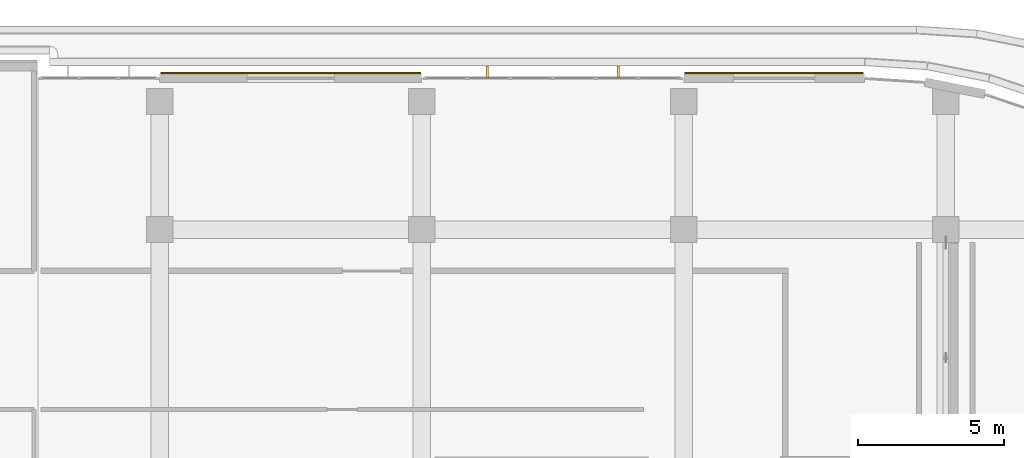
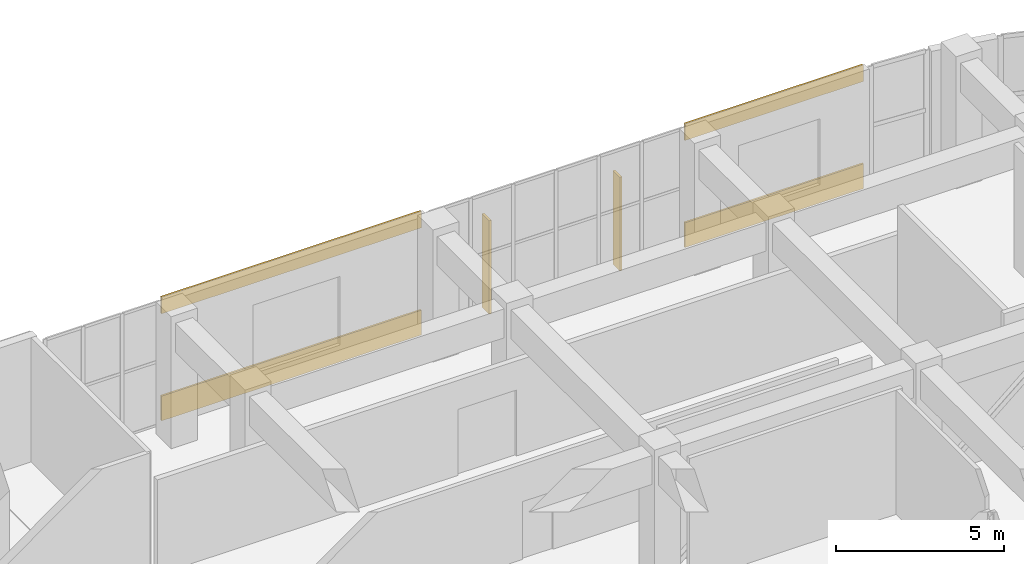
# One storey, part 95 of 96: 4 coverings, 2 shading devices.
"""IFC4 building model written with IfcOpenShell, lengths in metres."""

from ifc_helpers import new_model, si_unit, direction, frame, origin, origin_2d, place, context, subcontext, project, spatial, rectangle, extrude, material, layer, layer_set, type_object, element, save


model = new_model("IFC4")

# Units and contexts
model_context = context("Model", 3, precision=1e-05, world=origin(), true_north=direction((0.0, 1.0)))
body_context = subcontext(model_context, "Body", "Model", "MODEL_VIEW")
ifc_project = project(units=[si_unit("LENGTHUNIT", "METRE"), si_unit("AREAUNIT", "SQUARE_METRE"), si_unit("VOLUMEUNIT", "CUBIC_METRE"), si_unit("PLANEANGLEUNIT", "RADIAN"), si_unit("MASSUNIT", "GRAM", prefix="KILO")], contexts=[model_context])

# Site, building, storey
site_placement = place(None, origin())
site = spatial("IfcSite", under=ifc_project, at=site_placement, CompositionType="ELEMENT")
building_placement = place(site_placement, origin())
building = spatial("IfcBuilding", under=site, at=building_placement, Name="Cendralis Terraced Arcade", CompositionType="ELEMENT")
storey_placement = place(building_placement, frame((0.0, 0.0, 10.199951171875)))
storey = spatial("IfcBuildingStorey", under=building, at=storey_placement, Name="L02", CompositionType="ELEMENT", Elevation=10.199951171875)

# Coverings
ifc_material_1 = material(Name="Precast concrete f'c 40 MPa", Category="concrete")
ifc_layer = layer(ifc_material_1, 0.06494140625, Name="COV-CLAD-GRC-65")
ifc_layer_set = layer_set([ifc_layer], Name="Precast concrete f'c 40 MPa")
covering_type = type_object("IfcCoveringType", Name="COV-CLAD-GRC-65", PredefinedType="CLADDING", material=ifc_layer_set)
covering_1_placement = place(storey_placement, frame((134.699951171875, 112.580078125, 0.0), z_axis=(0.0, 0.0, 1.0), x_axis=(1.0, 0.0, 0.0)))
element("IfcCovering", 1, at=covering_1_placement, inside=storey, type_object=covering_type, Name="Banded Precast Stone Spandrel Cladding L02-275", PredefinedType="CLADDING", context=body_context, shape_type="SweptSolid", body=[
    extrude(rectangle(XDim=8.93994140625, YDim=0.06494140625, at=origin_2d()), origin(), (0.0, 0.0, 1.0), 0.89990234375),
])
covering_2_placement = place(storey_placement, frame((134.699951171875, 112.580078125, 3.89501953125), z_axis=(0.0, 0.0, 1.0), x_axis=(1.0, 0.0, 0.0)))
element("IfcCovering", 2, at=covering_2_placement, inside=storey, type_object=covering_type, Name="Banded Precast Stone Lintel Cladding L02-276", PredefinedType="CLADDING", context=body_context, shape_type="SweptSolid", body=[
    extrude(rectangle(XDim=8.93994140625, YDim=0.06494140625, at=origin_2d()), origin(), (0.0, 0.0, 1.0), 0.60009765625),
])
covering_3_placement = place(storey_placement, frame((151.300048828125, 112.580078125, 0.0), z_axis=(0.0, 0.0, 1.0), x_axis=(1.0, 0.0, 0.0)))
element("IfcCovering", 3, at=covering_3_placement, inside=storey, type_object=covering_type, Name="Banded Precast Stone Spandrel Cladding L02-277", PredefinedType="CLADDING", context=body_context, shape_type="SweptSolid", body=[
    extrude(rectangle(XDim=6.139892578125, YDim=0.06494140625, at=origin_2d()), origin(), (0.0, 0.0, 1.0), 0.89990234375),
])
covering_4_placement = place(storey_placement, frame((151.300048828125, 112.580078125, 3.89501953125), z_axis=(0.0, 0.0, 1.0), x_axis=(1.0, 0.0, 0.0)))
element("IfcCovering", 4, at=covering_4_placement, inside=storey, type_object=covering_type, Name="Banded Precast Stone Lintel Cladding L02-278", PredefinedType="CLADDING", context=body_context, shape_type="SweptSolid", body=[
    extrude(rectangle(XDim=6.139892578125, YDim=0.06494140625, at=origin_2d()), origin(), (0.0, 0.0, 1.0), 0.60009765625),
])

# Shading devices
ifc_material_2 = material(Name="Anodised aluminium EN AW-6063 T6", Category="aluminium")
shading_device_type = type_object("IfcShadingDeviceType", Name="SHD-FIN-420", PredefinedType="USERDEFINED", material=ifc_material_2)
for number, where, z_axis, x_axis, name in (
    (5, (141.449951171875, 112.614990234375, 0.050048828125), (0.0, 0.0, 1.0), (1.0, 0.0, 0.0), "Parametric Vertical Solar Fin FIN-L02-063"),
    (6, (145.949951171875, 112.614990234375, 0.050048828125), (0.0, 0.0, 1.0), (1.0, 0.0, 0.0), "Parametric Vertical Solar Fin FIN-L02-064"),
):
    element("IfcShadingDevice", number, at=place(storey_placement, frame(where, z_axis=z_axis, x_axis=x_axis)), inside=storey, type_object=shading_device_type, Name=name, ObjectType="FIN", PredefinedType="USERDEFINED", context=body_context, shape_type="SweptSolid", body=[
        extrude(rectangle(XDim=0.074951171875, YDim=0.419921875, at=origin_2d()), origin(), (0.0, 0.0, 1.0), 3.39990234375),
    ])

save(model, "model.ifc")
